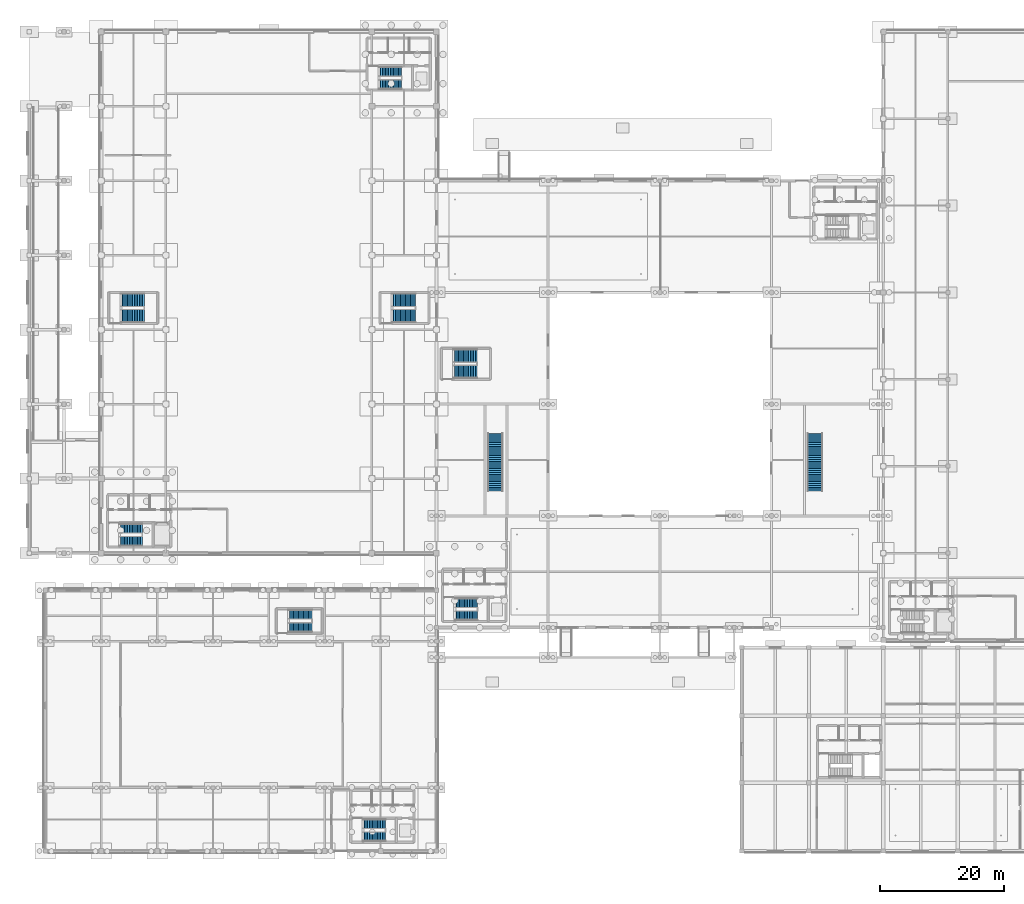
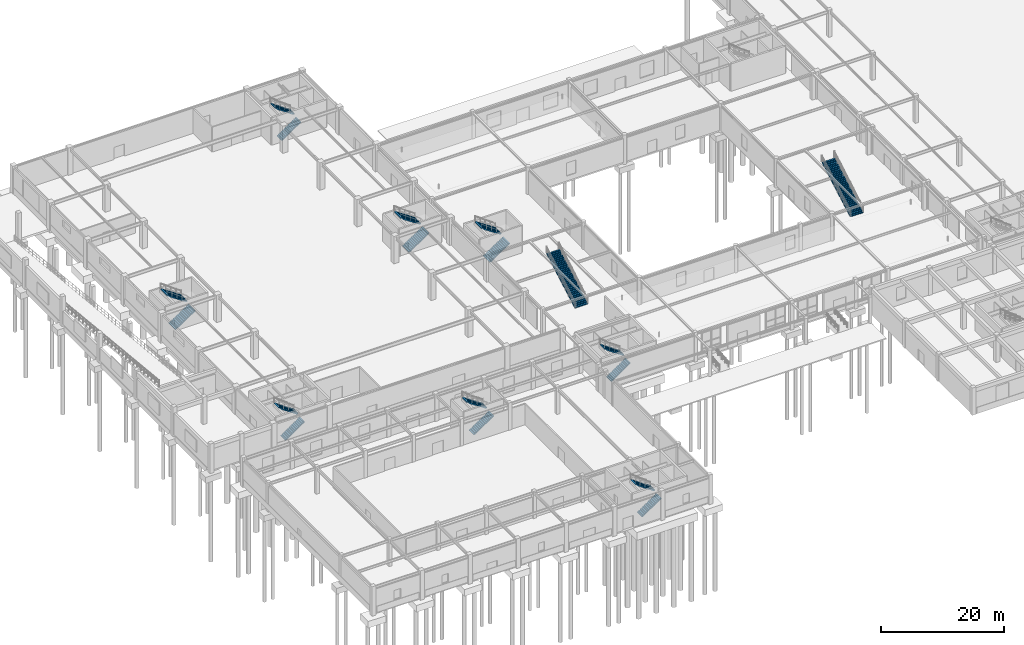
# One storey, part 39 of 53: 18 stair flights, 10 elements without a shape of their own.
"""IFC4 building model written with IfcOpenShell, lengths in metres."""

import ifcopenshell
import ifcopenshell.guid

model = None  # the IFC model being written
_history = None  # IfcOwnerHistory: only IFC2X3 demands one
_inside = {}  # id of a spatial element -> (the spatial element, [elements in it])
_under = {}  # id of a project, library or spatial element -> (it, [spatial elements below it])
_declared = {}  # id of a project -> (the project, [libraries it declares])
_typed = {}  # id of a type object -> (the type object, [elements of that type])
_made_of = {}  # id of a material, layer set ... -> (it, [elements and type objects made of it])


def new_model(schema):
    """Start an empty IFC model of exactly this schema.

    Asked for "IFC4X3", IfcOpenShell would pick the latest addendum, in which some entities
    have other attributes; the version numbers below select the first issue.
    IFC2X3 requires an IfcOwnerHistory on every rooted entity: one is made here for all.
    """
    global model, _history
    if schema == "IFC4X3":
        model = ifcopenshell.file(schema_version=(4, 3, 0, 0))
    else:
        model = ifcopenshell.file(schema=schema)
    _inside.clear()
    _under.clear()
    _declared.clear()
    _typed.clear()
    _made_of.clear()
    _history = None
    if model.schema == "IFC2X3":
        org = make("IfcOrganization", Name="unknown")
        user = make(
            "IfcPersonAndOrganization",
            ThePerson=make("IfcPerson", FamilyName="unknown"),
            TheOrganization=org,
        )
        app = make(
            "IfcApplication",
            ApplicationDeveloper=org,
            Version="unknown",
            ApplicationFullName="unknown",
            ApplicationIdentifier="unknown",
        )
        _history = make(
            "IfcOwnerHistory",
            OwningUser=user,
            OwningApplication=app,
            ChangeAction="ADDED",
            CreationDate=0,
        )
    return model


def make(cls, **values):
    """One entity of the class cls with the attributes given. An attribute that is None is left unset."""
    return model.create_entity(
        cls, **{name: value for name, value in values.items() if value is not None}
    )


def rooted(cls, **values):
    """An entity with a GlobalId (a new one), such as an element, a storey or a relation."""
    return make(cls, GlobalId=ifcopenshell.guid.new(), OwnerHistory=_history, **values)


def si_unit(unit_type, name, prefix=None):
    """IfcSIUnit, for example si_unit("LENGTHUNIT", "METRE", prefix="MILLI")."""
    return make("IfcSIUnit", UnitType=unit_type, Prefix=prefix, Name=name)


def derived_unit(unit_type, elements):
    """IfcDerivedUnit: a product of units, each with its exponent."""
    return make(
        "IfcDerivedUnit",
        Elements=[
            make("IfcDerivedUnitElement", Unit=unit, Exponent=power)
            for unit, power in elements
        ],
        UnitType=unit_type,
    )


def assignment(units):
    """IfcUnitAssignment: the units of a project."""
    return None if units is None else make("IfcUnitAssignment", Units=units)


def point(xyz):
    """IfcCartesianPoint."""
    return None if xyz is None else make("IfcCartesianPoint", Coordinates=xyz)


def direction(xyz):
    """IfcDirection."""
    return None if xyz is None else make("IfcDirection", DirectionRatios=xyz)


def frame(location, z_axis=None, x_axis=None):
    """IfcAxis2Placement3D, a coordinate frame: its origin and axes. An axis left out is left unset."""
    return make(
        "IfcAxis2Placement3D",
        Location=point(location),
        Axis=direction(z_axis),
        RefDirection=direction(x_axis),
    )


def origin():
    """The frame at (0, 0, 0) with its axes left unset."""
    return frame((0.0, 0.0, 0.0))


def place(relative_to, where):
    """IfcLocalPlacement: puts the frame where relative to a parent placement (None: the world)."""
    return make(
        "IfcLocalPlacement", PlacementRelTo=relative_to, RelativePlacement=where
    )


def context(
    kind, dimensions, precision=None, world=None, true_north=None, identifier=None
):
    """IfcGeometricRepresentationContext, for example the 3D "Model" context."""
    return make(
        "IfcGeometricRepresentationContext",
        ContextIdentifier=identifier,
        ContextType=kind,
        CoordinateSpaceDimension=dimensions,
        Precision=precision,
        WorldCoordinateSystem=world,
        TrueNorth=true_north,
    )


def subcontext(parent, identifier, kind, view, scale=None):
    """IfcGeometricRepresentationSubContext, for example "Body" below "Model"."""
    return make(
        "IfcGeometricRepresentationSubContext",
        ContextIdentifier=identifier,
        ContextType=kind,
        ParentContext=parent,
        TargetScale=scale,
        TargetView=view,
    )


def project(units=None, contexts=None):
    """IfcProject with its units and contexts."""
    return rooted(
        "IfcProject",
        Name="project",
        RepresentationContexts=contexts,
        UnitsInContext=assignment(units),
    )


def spatial(cls, under=None, at=None, **own):
    """A site, building, storey or space (cls), placed at a placement, below another one or the project."""
    s = rooted(cls, ObjectPlacement=at, **own)
    if under is not None:
        _under.setdefault(under.id(), (under, []))[1].append(s)
    return s


def polyline(points):
    """IfcPolyline through the points."""
    return make("IfcPolyline", Points=[point(p) for p in points])


def outline(outer, holes=None, kind="AREA"):
    """IfcArbitraryClosedProfileDef: a profile drawn as a closed curve; with holes, ...WithVoids."""
    if holes is None:
        return make("IfcArbitraryClosedProfileDef", ProfileType=kind, OuterCurve=outer)
    return make(
        "IfcArbitraryProfileDefWithVoids",
        ProfileType=kind,
        OuterCurve=outer,
        InnerCurves=holes,
    )


def extrude(swept, where, along, depth):
    """IfcExtrudedAreaSolid: the profile swept, set in the frame where, extruded along a direction by depth."""
    return make(
        "IfcExtrudedAreaSolid",
        SweptArea=swept,
        Position=where,
        ExtrudedDirection=direction(along),
        Depth=depth,
    )


def shape(context_of_items, identifier, shape_type, items):
    """IfcShapeRepresentation: the items that make up one representation, for example the "Body"."""
    return make(
        "IfcShapeRepresentation",
        ContextOfItems=context_of_items,
        RepresentationIdentifier=identifier,
        RepresentationType=shape_type,
        Items=items,
    )


def material(Name=None, Category=None):
    """IfcMaterial."""
    return make("IfcMaterial", Name=Name, Category=Category)


def made_of(thing, what):
    """Note that an element or type object is made of a material, layer set ...; save() writes the relation."""
    if what is not None:
        _made_of.setdefault(what.id(), (what, []))[1].append(thing)
    return thing


def type_object(cls, material=None, **own):
    """A type object (cls), such as IfcWallType, which elements share."""
    return made_of(rooted(cls, **own), material)


def element(
    cls,
    number,
    at=None,
    inside=None,
    cuts=None,
    type_object=None,
    material=None,
    context=None,
    identifier="Body",
    shape_type=None,
    held_by="IfcProductDefinitionShape",
    body=None,
    shapes=None,
    **own,
):
    """One element of the class cls, such as IfcWall. Its Tag is "e" and its number.

    at: its placement. inside: the storey or other place that contains it. cuts: it is an
    opening in that element (IfcRelVoidsElement). A single representation is given by context,
    identifier, shape_type and body (its items); several are given by shapes. held_by: the class
    of the entity that holds the representations. save() writes the other relations.
    """
    e = rooted(cls, Tag="e%d" % number, ObjectPlacement=at, **own)
    if body is not None:
        shapes = [shape(context, identifier, shape_type, body)]
    if shapes is not None:
        e.Representation = make(held_by, Representations=shapes)
    if inside is not None:
        _inside.setdefault(inside.id(), (inside, []))[1].append(e)
    if cuts is not None:
        rooted(
            "IfcRelVoidsElement", RelatingBuildingElement=cuts, RelatedOpeningElement=e
        )
    if type_object is not None:
        _typed.setdefault(type_object.id(), (type_object, []))[1].append(e)
    return made_of(e, material)


def aggregate(whole, parts):
    """IfcRelAggregates: a whole, such as a stair, and the parts it consists of."""
    return rooted("IfcRelAggregates", RelatingObject=whole, RelatedObjects=parts)


def save(model, path):
    """Write the relations noted so far, then the file.

    IfcRelAggregates (storeys below a building ...), IfcRelContainedInSpatialStructure (elements
    in a storey), IfcRelDefinesByType, IfcRelAssociatesMaterial and IfcRelDeclares: one each for
    every whole, place, type object, material and project.
    """
    for whole, parts in _under.values():
        aggregate(whole, parts)
    for where, things in _inside.values():
        rooted(
            "IfcRelContainedInSpatialStructure",
            RelatedElements=things,
            RelatingStructure=where,
        )
    for kind, things in _typed.values():
        rooted("IfcRelDefinesByType", RelatedObjects=things, RelatingType=kind)
    for what, things in _made_of.values():
        rooted("IfcRelAssociatesMaterial", RelatedObjects=things, RelatingMaterial=what)
    for by, libraries in _declared.values():
        rooted("IfcRelDeclares", RelatingContext=by, RelatedDefinitions=libraries)
    model.write(path)


model = new_model("IFC4")

# Units and contexts
model_context = context("Model", 3, precision=1e-05, world=origin(), true_north=direction((0.0, 1.0)))
body_context = subcontext(model_context, "Body", "Model", "MODEL_VIEW")
ifc_project = project(units=[si_unit("LENGTHUNIT", "METRE"), si_unit("AREAUNIT", "SQUARE_METRE"), si_unit("VOLUMEUNIT", "CUBIC_METRE"), si_unit("PLANEANGLEUNIT", "RADIAN"), si_unit("MASSUNIT", "GRAM", prefix="KILO"), derived_unit("THERMALTRANSMITTANCEUNIT", [(si_unit("POWERUNIT", "WATT"), 1), (si_unit("LENGTHUNIT", "METRE"), -2), (si_unit("THERMODYNAMICTEMPERATUREUNIT", "KELVIN"), -1)])], contexts=[model_context])

# Site, building, storey
site_placement = place(None, origin())
site = spatial("IfcSite", under=ifc_project, at=site_placement, CompositionType="ELEMENT")
building_placement = place(site_placement, origin())
building = spatial("IfcBuilding", under=site, at=building_placement, Name="Almenara Railside Exhibition Hall", CompositionType="ELEMENT")
storey_placement = place(building_placement, origin())
storey = spatial("IfcBuildingStorey", under=building, at=storey_placement, Name="L00", CompositionType="ELEMENT", Elevation=0.0)

# Stair, stair flight
ifc_material = material(Name="Concrete C35/45", Category="concrete")
stair_type_1 = type_object("IfcStairType", Name="Concourse Monumental Straight Stair 2400mm", PredefinedType="STRAIGHT_RUN_STAIR", material=ifc_material)
stair_1_placement = place(storey_placement, origin())
stair_1 = element("IfcStair", 1, at=stair_1_placement, inside=storey, type_object=stair_type_1, Name="Monumental concourse stair MS-1", PredefinedType="STRAIGHT_RUN_STAIR")
stair_flight_type_1 = type_object("IfcStairFlightType", Name="Monumental Terrazzo Stair Flight 2400mm C35/45", PredefinedType="STRAIGHT", material=ifc_material)
stair_flight_1_placement = place(storey_placement, frame((75.5, 58.0, 0.0), z_axis=(0.0, 0.0, 1.0), x_axis=(0.0, 1.0, 0.0)))
stair_flight_1 = element("IfcStairFlight", 2, at=stair_flight_1_placement, type_object=stair_flight_type_1, Name="MS-1 flight 1", NumberOfRisers=32, NumberOfTreads=31, PredefinedType="STRAIGHT", RiserHeight=0.16875, TreadLength=0.3, context=body_context, shape_type="SweptSolid", body=[
    extrude(outline(polyline([(0.0, 0.0), (0.0, 0.168701171875), (0.300048828125, 0.168701171875), (0.300048828125, 0.33740234375), (0.60009765625, 0.33740234375), (0.60009765625, 0.50634765625), (0.89990234375, 0.50634765625), (0.89990234375, 0.675048828125), (1.199951171875, 0.675048828125), (1.199951171875, 0.84375), (1.5, 0.84375), (1.5, 1.012451171875), (1.800048828125, 1.012451171875), (1.800048828125, 1.18115234375), (2.10009765625, 1.18115234375), (2.10009765625, 1.35009765625), (2.39990234375, 1.35009765625), (2.39990234375, 1.518798828125), (2.699951171875, 1.518798828125), (2.699951171875, 1.6875), (3.0, 1.6875), (3.0, 1.856201171875), (3.300048828125, 1.856201171875), (3.300048828125, 2.02490234375), (3.60009765625, 2.02490234375), (3.60009765625, 2.19384765625), (3.89990234375, 2.19384765625), (3.89990234375, 2.362548828125), (4.199951171875, 2.362548828125), (4.199951171875, 2.53125), (4.5, 2.53125), (4.5, 2.699951171875), (4.800048828125, 2.699951171875), (4.800048828125, 2.86865234375), (5.10009765625, 2.86865234375), (5.10009765625, 3.03759765625), (5.39990234375, 3.03759765625), (5.39990234375, 3.206298828125), (5.699951171875, 3.206298828125), (5.699951171875, 3.375), (6.0, 3.375), (6.0, 3.543701171875), (6.300048828125, 3.543701171875), (6.300048828125, 3.71240234375), (6.60009765625, 3.71240234375), (6.60009765625, 3.88134765625), (6.89990234375, 3.88134765625), (6.89990234375, 4.050048828125), (7.199951171875, 4.050048828125), (7.199951171875, 4.21875), (7.5, 4.21875), (7.5, 4.387451171875), (7.800048828125, 4.387451171875), (7.800048828125, 4.55615234375), (8.10009765625, 4.55615234375), (8.10009765625, 4.72509765625), (8.39990234375, 4.72509765625), (8.39990234375, 4.893798828125), (8.699951171875, 4.893798828125), (8.699951171875, 5.0625), (9.0, 5.0625), (9.0, 5.231201171875), (9.300048828125, 5.231201171875), (9.300048828125, 5.39990234375), (9.300048828125, 5.059326171875), (0.3056640625, 0.0), (0.0, 0.0)])), frame((0.0, 1.199951171875, 0.0), z_axis=(0.0, -1.0, 0.0), x_axis=(1.0, 0.0, 0.0)), (0.0, 0.0, 1.0), 2.39990234375),
])
aggregate(stair_1, [stair_flight_1])

stair_2_placement = place(storey_placement, origin())
stair_2 = element("IfcStair", 3, at=stair_2_placement, inside=storey, type_object=stair_type_1, Name="Monumental concourse stair MS-2", PredefinedType="STRAIGHT_RUN_STAIR")
stair_flight_2_placement = place(storey_placement, frame((127.0, 58.0, 0.0), z_axis=(0.0, 0.0, 1.0), x_axis=(0.0, 1.0, 0.0)))
stair_flight_2 = element("IfcStairFlight", 4, at=stair_flight_2_placement, type_object=stair_flight_type_1, Name="MS-2 flight 1", NumberOfRisers=32, NumberOfTreads=31, PredefinedType="STRAIGHT", RiserHeight=0.16875, TreadLength=0.3, context=body_context, shape_type="SweptSolid", body=[
    extrude(outline(polyline([(0.0, 0.0), (0.0, 0.168701171875), (0.300048828125, 0.168701171875), (0.300048828125, 0.33740234375), (0.60009765625, 0.33740234375), (0.60009765625, 0.50634765625), (0.89990234375, 0.50634765625), (0.89990234375, 0.675048828125), (1.199951171875, 0.675048828125), (1.199951171875, 0.84375), (1.5, 0.84375), (1.5, 1.012451171875), (1.800048828125, 1.012451171875), (1.800048828125, 1.18115234375), (2.10009765625, 1.18115234375), (2.10009765625, 1.35009765625), (2.39990234375, 1.35009765625), (2.39990234375, 1.518798828125), (2.699951171875, 1.518798828125), (2.699951171875, 1.6875), (3.0, 1.6875), (3.0, 1.856201171875), (3.300048828125, 1.856201171875), (3.300048828125, 2.02490234375), (3.60009765625, 2.02490234375), (3.60009765625, 2.19384765625), (3.89990234375, 2.19384765625), (3.89990234375, 2.362548828125), (4.199951171875, 2.362548828125), (4.199951171875, 2.53125), (4.5, 2.53125), (4.5, 2.699951171875), (4.800048828125, 2.699951171875), (4.800048828125, 2.86865234375), (5.10009765625, 2.86865234375), (5.10009765625, 3.03759765625), (5.39990234375, 3.03759765625), (5.39990234375, 3.206298828125), (5.699951171875, 3.206298828125), (5.699951171875, 3.375), (6.0, 3.375), (6.0, 3.543701171875), (6.300048828125, 3.543701171875), (6.300048828125, 3.71240234375), (6.60009765625, 3.71240234375), (6.60009765625, 3.88134765625), (6.89990234375, 3.88134765625), (6.89990234375, 4.050048828125), (7.199951171875, 4.050048828125), (7.199951171875, 4.21875), (7.5, 4.21875), (7.5, 4.387451171875), (7.800048828125, 4.387451171875), (7.800048828125, 4.55615234375), (8.10009765625, 4.55615234375), (8.10009765625, 4.72509765625), (8.39990234375, 4.72509765625), (8.39990234375, 4.893798828125), (8.699951171875, 4.893798828125), (8.699951171875, 5.0625), (9.0, 5.0625), (9.0, 5.231201171875), (9.300048828125, 5.231201171875), (9.300048828125, 5.39990234375), (9.300048828125, 5.059326171875), (0.3056640625, 0.0), (0.0, 0.0)])), frame((0.0, 1.199951171875, 0.0), z_axis=(0.0, -1.0, 0.0), x_axis=(1.0, 0.0, 0.0)), (0.0, 0.0, 1.0), 2.39990234375),
])
aggregate(stair_2, [stair_flight_2])

# Stair, stair flights
stair_type_2 = type_object("IfcStairType", Name="Core Dog-Leg Escape Stair 1520mm", PredefinedType="TWO_STRAIGHT_RUN_STAIR", material=ifc_material)
stair_3_placement = place(storey_placement, origin())
stair_3 = element("IfcStair", 5, at=stair_3_placement, inside=storey, type_object=stair_type_2, Name="Escape stair ST-C1-L00", PredefinedType="TWO_STRAIGHT_RUN_STAIR")
stair_flight_type_2 = type_object("IfcStairFlightType", Name="Precast Concrete Stair Flight 1520mm C35/45", PredefinedType="STRAIGHT", material=ifc_material)
stair_flight_3_placement = place(storey_placement, frame((14.949951171875, 49.89990234375, 0.0), z_axis=(0.0, 0.0, 1.0), x_axis=(1.0, 0.0, 0.0)))
stair_flight_3 = element("IfcStairFlight", 6, at=stair_flight_3_placement, type_object=stair_flight_type_2, Name="ST-C1-L00 flight 1", NumberOfRisers=15, NumberOfTreads=14, PredefinedType="STRAIGHT", RiserHeight=0.18, TreadLength=0.2607, context=body_context, shape_type="SweptSolid", body=[
    extrude(outline(polyline([(0.0, 0.0), (0.0, 0.179931640625), (0.2607421875, 0.179931640625), (0.2607421875, 0.360107421875), (0.521484375, 0.360107421875), (0.521484375, 0.5400390625), (0.781982421875, 0.5400390625), (0.781982421875, 0.719970703125), (1.042724609375, 0.719970703125), (1.042724609375, 0.89990234375), (1.303466796875, 0.89990234375), (1.303466796875, 1.080078125), (1.564208984375, 1.080078125), (1.564208984375, 1.260009765625), (1.824951171875, 1.260009765625), (1.824951171875, 1.43994140625), (2.085693359375, 1.43994140625), (2.085693359375, 1.6201171875), (2.34619140625, 1.6201171875), (2.34619140625, 1.800048828125), (2.60693359375, 1.800048828125), (2.60693359375, 1.97998046875), (2.86767578125, 1.97998046875), (2.86767578125, 2.159912109375), (3.12841796875, 2.159912109375), (3.12841796875, 2.340087890625), (3.38916015625, 2.340087890625), (3.38916015625, 2.52001953125), (3.64990234375, 2.52001953125), (3.64990234375, 2.699951171875), (3.64990234375, 2.337890625), (0.263916015625, 0.0), (0.0, 0.0)])), frame((0.0, 0.760009765625, 0.0), z_axis=(0.0, -1.0, 0.0), x_axis=(1.0, 0.0, 0.0)), (0.0, 0.0, 1.0), 1.52001953125),
])
stair_flight_4_placement = place(storey_placement, frame((18.599853515625, 52.0, 2.699951171875), z_axis=(0.0, 0.0, 1.0), x_axis=(-1.0, 0.0, 0.0)))
stair_flight_4 = element("IfcStairFlight", 7, at=stair_flight_4_placement, type_object=stair_flight_type_2, Name="ST-C1-L00 flight 2", NumberOfRisers=15, NumberOfTreads=14, PredefinedType="STRAIGHT", RiserHeight=0.18, TreadLength=0.2607, context=body_context, shape_type="SweptSolid", body=[
    extrude(outline(polyline([(0.0, 0.0), (0.0, 0.179931640625), (0.2607421875, 0.179931640625), (0.2607421875, 0.360107421875), (0.521484375, 0.360107421875), (0.521484375, 0.5400390625), (0.781982421875, 0.5400390625), (0.781982421875, 0.719970703125), (1.042724609375, 0.719970703125), (1.042724609375, 0.89990234375), (1.303466796875, 0.89990234375), (1.303466796875, 1.080078125), (1.564208984375, 1.080078125), (1.564208984375, 1.260009765625), (1.824951171875, 1.260009765625), (1.824951171875, 1.43994140625), (2.085693359375, 1.43994140625), (2.085693359375, 1.6201171875), (2.34619140625, 1.6201171875), (2.34619140625, 1.800048828125), (2.60693359375, 1.800048828125), (2.60693359375, 1.97998046875), (2.86767578125, 1.97998046875), (2.86767578125, 2.159912109375), (3.12841796875, 2.159912109375), (3.12841796875, 2.340087890625), (3.38916015625, 2.340087890625), (3.38916015625, 2.52001953125), (3.64990234375, 2.52001953125), (3.64990234375, 2.699951171875), (3.64990234375, 2.337890625), (0.263916015625, 0.0), (0.0, 0.0)])), frame((0.0, 0.760009765625, 0.0), z_axis=(0.0, -1.0, 0.0), x_axis=(1.0, 0.0, 0.0)), (0.0, 0.0, 1.0), 1.52001953125),
])
aggregate(stair_3, [stair_flight_3, stair_flight_4])

stair_4_placement = place(storey_placement, origin())
stair_4 = element("IfcStair", 8, at=stair_4_placement, inside=storey, type_object=stair_type_2, Name="Escape stair ST-C2-L00", PredefinedType="TWO_STRAIGHT_RUN_STAIR")
stair_flight_5_placement = place(storey_placement, frame((56.75, 123.5, 0.0), z_axis=(0.0, 0.0, 1.0), x_axis=(1.0, 0.0, 0.0)))
stair_flight_5 = element("IfcStairFlight", 9, at=stair_flight_5_placement, type_object=stair_flight_type_2, Name="ST-C2-L00 flight 1", NumberOfRisers=15, NumberOfTreads=14, PredefinedType="STRAIGHT", RiserHeight=0.18, TreadLength=0.2607, context=body_context, shape_type="SweptSolid", body=[
    extrude(outline(polyline([(0.0, 0.0), (0.0, 0.179931640625), (0.2607421875, 0.179931640625), (0.2607421875, 0.360107421875), (0.521484375, 0.360107421875), (0.521484375, 0.5400390625), (0.781982421875, 0.5400390625), (0.781982421875, 0.719970703125), (1.042724609375, 0.719970703125), (1.042724609375, 0.89990234375), (1.303466796875, 0.89990234375), (1.303466796875, 1.080078125), (1.564208984375, 1.080078125), (1.564208984375, 1.260009765625), (1.824951171875, 1.260009765625), (1.824951171875, 1.43994140625), (2.085693359375, 1.43994140625), (2.085693359375, 1.6201171875), (2.34619140625, 1.6201171875), (2.34619140625, 1.800048828125), (2.60693359375, 1.800048828125), (2.60693359375, 1.97998046875), (2.86767578125, 1.97998046875), (2.86767578125, 2.159912109375), (3.12841796875, 2.159912109375), (3.12841796875, 2.340087890625), (3.38916015625, 2.340087890625), (3.38916015625, 2.52001953125), (3.64990234375, 2.52001953125), (3.64990234375, 2.699951171875), (3.64990234375, 2.337890625), (0.263916015625, 0.0), (0.0, 0.0)])), frame((0.0, 0.760009765625, 0.0), z_axis=(0.0, -1.0, 0.0), x_axis=(1.0, 0.0, 0.0)), (0.0, 0.0, 1.0), 1.52001953125),
])
stair_flight_6_placement = place(storey_placement, frame((60.39990234375, 125.60009765625, 2.699951171875), z_axis=(0.0, 0.0, 1.0), x_axis=(-1.0, 0.0, 0.0)))
stair_flight_6 = element("IfcStairFlight", 10, at=stair_flight_6_placement, type_object=stair_flight_type_2, Name="ST-C2-L00 flight 2", NumberOfRisers=15, NumberOfTreads=14, PredefinedType="STRAIGHT", RiserHeight=0.18, TreadLength=0.2607, context=body_context, shape_type="SweptSolid", body=[
    extrude(outline(polyline([(0.0, 0.0), (0.0, 0.179931640625), (0.2607421875, 0.179931640625), (0.2607421875, 0.360107421875), (0.521484375, 0.360107421875), (0.521484375, 0.5400390625), (0.781982421875, 0.5400390625), (0.781982421875, 0.719970703125), (1.042724609375, 0.719970703125), (1.042724609375, 0.89990234375), (1.303466796875, 0.89990234375), (1.303466796875, 1.080078125), (1.564208984375, 1.080078125), (1.564208984375, 1.260009765625), (1.824951171875, 1.260009765625), (1.824951171875, 1.43994140625), (2.085693359375, 1.43994140625), (2.085693359375, 1.6201171875), (2.34619140625, 1.6201171875), (2.34619140625, 1.800048828125), (2.60693359375, 1.800048828125), (2.60693359375, 1.97998046875), (2.86767578125, 1.97998046875), (2.86767578125, 2.159912109375), (3.12841796875, 2.159912109375), (3.12841796875, 2.340087890625), (3.38916015625, 2.340087890625), (3.38916015625, 2.52001953125), (3.64990234375, 2.52001953125), (3.64990234375, 2.699951171875), (3.64990234375, 2.337890625), (0.263916015625, 0.0), (0.0, 0.0)])), frame((0.0, 0.760009765625, 0.0), z_axis=(0.0, -1.0, 0.0), x_axis=(1.0, 0.0, 0.0)), (0.0, 0.0, 1.0), 1.52001953125),
])
aggregate(stair_4, [stair_flight_5, stair_flight_6])

stair_5_placement = place(storey_placement, origin())
stair_5 = element("IfcStair", 11, at=stair_5_placement, inside=storey, type_object=stair_type_2, Name="Escape stair ST-C4-L00", PredefinedType="TWO_STRAIGHT_RUN_STAIR")
stair_flight_7_placement = place(storey_placement, frame((68.949951171875, 37.89990234375, 0.0), z_axis=(0.0, 0.0, 1.0), x_axis=(1.0, 0.0, 0.0)))
stair_flight_7 = element("IfcStairFlight", 12, at=stair_flight_7_placement, type_object=stair_flight_type_2, Name="ST-C4-L00 flight 1", NumberOfRisers=15, NumberOfTreads=14, PredefinedType="STRAIGHT", RiserHeight=0.18, TreadLength=0.2607, context=body_context, shape_type="SweptSolid", body=[
    extrude(outline(polyline([(0.0, 0.0), (0.0, 0.179931640625), (0.2607421875, 0.179931640625), (0.2607421875, 0.360107421875), (0.521484375, 0.360107421875), (0.521484375, 0.5400390625), (0.781982421875, 0.5400390625), (0.781982421875, 0.719970703125), (1.042724609375, 0.719970703125), (1.042724609375, 0.89990234375), (1.303466796875, 0.89990234375), (1.303466796875, 1.080078125), (1.564208984375, 1.080078125), (1.564208984375, 1.260009765625), (1.824951171875, 1.260009765625), (1.824951171875, 1.43994140625), (2.085693359375, 1.43994140625), (2.085693359375, 1.6201171875), (2.34619140625, 1.6201171875), (2.34619140625, 1.800048828125), (2.60693359375, 1.800048828125), (2.60693359375, 1.97998046875), (2.86767578125, 1.97998046875), (2.86767578125, 2.159912109375), (3.12841796875, 2.159912109375), (3.12841796875, 2.340087890625), (3.38916015625, 2.340087890625), (3.38916015625, 2.52001953125), (3.64990234375, 2.52001953125), (3.64990234375, 2.699951171875), (3.64990234375, 2.337890625), (0.263916015625, 0.0), (0.0, 0.0)])), frame((0.0, 0.760009765625, 0.0), z_axis=(0.0, -1.0, 0.0), x_axis=(1.0, 0.0, 0.0)), (0.0, 0.0, 1.0), 1.52001953125),
])
stair_flight_8_placement = place(storey_placement, frame((72.599853515625, 40.0, 2.699951171875), z_axis=(0.0, 0.0, 1.0), x_axis=(-1.0, 0.0, 0.0)))
stair_flight_8 = element("IfcStairFlight", 13, at=stair_flight_8_placement, type_object=stair_flight_type_2, Name="ST-C4-L00 flight 2", NumberOfRisers=15, NumberOfTreads=14, PredefinedType="STRAIGHT", RiserHeight=0.18, TreadLength=0.2607, context=body_context, shape_type="SweptSolid", body=[
    extrude(outline(polyline([(0.0, 0.0), (0.0, 0.179931640625), (0.2607421875, 0.179931640625), (0.2607421875, 0.360107421875), (0.521484375, 0.360107421875), (0.521484375, 0.5400390625), (0.781982421875, 0.5400390625), (0.781982421875, 0.719970703125), (1.042724609375, 0.719970703125), (1.042724609375, 0.89990234375), (1.303466796875, 0.89990234375), (1.303466796875, 1.080078125), (1.564208984375, 1.080078125), (1.564208984375, 1.260009765625), (1.824951171875, 1.260009765625), (1.824951171875, 1.43994140625), (2.085693359375, 1.43994140625), (2.085693359375, 1.6201171875), (2.34619140625, 1.6201171875), (2.34619140625, 1.800048828125), (2.60693359375, 1.800048828125), (2.60693359375, 1.97998046875), (2.86767578125, 1.97998046875), (2.86767578125, 2.159912109375), (3.12841796875, 2.159912109375), (3.12841796875, 2.340087890625), (3.38916015625, 2.340087890625), (3.38916015625, 2.52001953125), (3.64990234375, 2.52001953125), (3.64990234375, 2.699951171875), (3.64990234375, 2.337890625), (0.263916015625, 0.0), (0.0, 0.0)])), frame((0.0, 0.760009765625, 0.0), z_axis=(0.0, -1.0, 0.0), x_axis=(1.0, 0.0, 0.0)), (0.0, 0.0, 1.0), 1.52001953125),
])
aggregate(stair_5, [stair_flight_7, stair_flight_8])

stair_6_placement = place(storey_placement, origin())
stair_6 = element("IfcStair", 14, at=stair_6_placement, inside=storey, type_object=stair_type_2, Name="Escape stair ST-C7-L00", PredefinedType="TWO_STRAIGHT_RUN_STAIR")
stair_flight_9_placement = place(storey_placement, frame((54.14990234375, 2.300048828125, 0.0), z_axis=(0.0, 0.0, 1.0), x_axis=(1.0, 0.0, 0.0)))
stair_flight_9 = element("IfcStairFlight", 15, at=stair_flight_9_placement, type_object=stair_flight_type_2, Name="ST-C7-L00 flight 1", NumberOfRisers=15, NumberOfTreads=14, PredefinedType="STRAIGHT", RiserHeight=0.18, TreadLength=0.2607, context=body_context, shape_type="SweptSolid", body=[
    extrude(outline(polyline([(0.0, 0.0), (0.0, 0.179931640625), (0.2607421875, 0.179931640625), (0.2607421875, 0.360107421875), (0.521484375, 0.360107421875), (0.521484375, 0.5400390625), (0.781982421875, 0.5400390625), (0.781982421875, 0.719970703125), (1.042724609375, 0.719970703125), (1.042724609375, 0.89990234375), (1.303466796875, 0.89990234375), (1.303466796875, 1.080078125), (1.564208984375, 1.080078125), (1.564208984375, 1.260009765625), (1.824951171875, 1.260009765625), (1.824951171875, 1.43994140625), (2.085693359375, 1.43994140625), (2.085693359375, 1.6201171875), (2.34619140625, 1.6201171875), (2.34619140625, 1.800048828125), (2.60693359375, 1.800048828125), (2.60693359375, 1.97998046875), (2.86767578125, 1.97998046875), (2.86767578125, 2.159912109375), (3.12841796875, 2.159912109375), (3.12841796875, 2.340087890625), (3.38916015625, 2.340087890625), (3.38916015625, 2.52001953125), (3.64990234375, 2.52001953125), (3.64990234375, 2.699951171875), (3.64990234375, 2.337890625), (0.263916015625, 0.0), (0.0, 0.0)])), frame((0.0, 0.760009765625, 0.0), z_axis=(0.0, -1.0, 0.0), x_axis=(1.0, 0.0, 0.0)), (0.0, 0.0, 1.0), 1.52001953125),
])
stair_flight_10_placement = place(storey_placement, frame((57.7998046875, 4.39990234375, 2.699951171875), z_axis=(0.0, 0.0, 1.0), x_axis=(-1.0, 0.0, 0.0)))
stair_flight_10 = element("IfcStairFlight", 16, at=stair_flight_10_placement, type_object=stair_flight_type_2, Name="ST-C7-L00 flight 2", NumberOfRisers=15, NumberOfTreads=14, PredefinedType="STRAIGHT", RiserHeight=0.18, TreadLength=0.2607, context=body_context, shape_type="SweptSolid", body=[
    extrude(outline(polyline([(0.0, 0.0), (0.0, 0.179931640625), (0.2607421875, 0.179931640625), (0.2607421875, 0.360107421875), (0.521484375, 0.360107421875), (0.521484375, 0.5400390625), (0.781982421875, 0.5400390625), (0.781982421875, 0.719970703125), (1.042724609375, 0.719970703125), (1.042724609375, 0.89990234375), (1.303466796875, 0.89990234375), (1.303466796875, 1.080078125), (1.564208984375, 1.080078125), (1.564208984375, 1.260009765625), (1.824951171875, 1.260009765625), (1.824951171875, 1.43994140625), (2.085693359375, 1.43994140625), (2.085693359375, 1.6201171875), (2.34619140625, 1.6201171875), (2.34619140625, 1.800048828125), (2.60693359375, 1.800048828125), (2.60693359375, 1.97998046875), (2.86767578125, 1.97998046875), (2.86767578125, 2.159912109375), (3.12841796875, 2.159912109375), (3.12841796875, 2.340087890625), (3.38916015625, 2.340087890625), (3.38916015625, 2.52001953125), (3.64990234375, 2.52001953125), (3.64990234375, 2.699951171875), (3.64990234375, 2.337890625), (0.263916015625, 0.0), (0.0, 0.0)])), frame((0.0, 0.760009765625, 0.0), z_axis=(0.0, -1.0, 0.0), x_axis=(1.0, 0.0, 0.0)), (0.0, 0.0, 1.0), 1.52001953125),
])
aggregate(stair_6, [stair_flight_9, stair_flight_10])

stair_7_placement = place(storey_placement, origin())
stair_7 = element("IfcStair", 17, at=stair_7_placement, inside=storey, type_object=stair_type_2, Name="Escape stair HST5-L00", PredefinedType="TWO_STRAIGHT_RUN_STAIR")
stair_flight_11_placement = place(storey_placement, frame((42.14990234375, 36.0, 0.0), z_axis=(0.0, 0.0, 1.0), x_axis=(1.0, 0.0, 0.0)))
stair_flight_11 = element("IfcStairFlight", 18, at=stair_flight_11_placement, type_object=stair_flight_type_2, Name="HST5-L00 flight 1", NumberOfRisers=15, NumberOfTreads=14, PredefinedType="STRAIGHT", RiserHeight=0.18, TreadLength=0.27, context=body_context, shape_type="SweptSolid", body=[
    extrude(outline(polyline([(0.0, 0.0), (0.0, 0.179931640625), (0.27001953125, 0.179931640625), (0.27001953125, 0.360107421875), (0.5400390625, 0.360107421875), (0.5400390625, 0.5400390625), (0.81005859375, 0.5400390625), (0.81005859375, 0.719970703125), (1.080078125, 0.719970703125), (1.080078125, 0.89990234375), (1.35009765625, 0.89990234375), (1.35009765625, 1.080078125), (1.6201171875, 1.080078125), (1.6201171875, 1.260009765625), (1.889892578125, 1.260009765625), (1.889892578125, 1.43994140625), (2.159912109375, 1.43994140625), (2.159912109375, 1.6201171875), (2.429931640625, 1.6201171875), (2.429931640625, 1.800048828125), (2.699951171875, 1.800048828125), (2.699951171875, 1.97998046875), (2.969970703125, 1.97998046875), (2.969970703125, 2.159912109375), (3.239990234375, 2.159912109375), (3.239990234375, 2.340087890625), (3.510009765625, 2.340087890625), (3.510009765625, 2.52001953125), (3.780029296875, 2.52001953125), (3.780029296875, 2.699951171875), (3.780029296875, 2.33984375), (0.270263671875, 0.0), (0.0, 0.0)])), frame((0.0, 0.760009765625, 0.0), z_axis=(0.0, -1.0, 0.0), x_axis=(1.0, 0.0, 0.0)), (0.0, 0.0, 1.0), 1.52001953125),
])
stair_flight_12_placement = place(storey_placement, frame((45.929931640625, 38.14990234375, 2.699951171875), z_axis=(0.0, 0.0, 1.0), x_axis=(-1.0, 0.0, 0.0)))
stair_flight_12 = element("IfcStairFlight", 19, at=stair_flight_12_placement, type_object=stair_flight_type_2, Name="HST5-L00 flight 2", NumberOfRisers=15, NumberOfTreads=14, PredefinedType="STRAIGHT", RiserHeight=0.18, TreadLength=0.27, context=body_context, shape_type="SweptSolid", body=[
    extrude(outline(polyline([(0.0, 0.0), (0.0, 0.179931640625), (0.27001953125, 0.179931640625), (0.27001953125, 0.360107421875), (0.5400390625, 0.360107421875), (0.5400390625, 0.5400390625), (0.81005859375, 0.5400390625), (0.81005859375, 0.719970703125), (1.080078125, 0.719970703125), (1.080078125, 0.89990234375), (1.35009765625, 0.89990234375), (1.35009765625, 1.080078125), (1.6201171875, 1.080078125), (1.6201171875, 1.260009765625), (1.889892578125, 1.260009765625), (1.889892578125, 1.43994140625), (2.159912109375, 1.43994140625), (2.159912109375, 1.6201171875), (2.429931640625, 1.6201171875), (2.429931640625, 1.800048828125), (2.699951171875, 1.800048828125), (2.699951171875, 1.97998046875), (2.969970703125, 1.97998046875), (2.969970703125, 2.159912109375), (3.239990234375, 2.159912109375), (3.239990234375, 2.340087890625), (3.510009765625, 2.340087890625), (3.510009765625, 2.52001953125), (3.780029296875, 2.52001953125), (3.780029296875, 2.699951171875), (3.780029296875, 2.33984375), (0.270263671875, 0.0), (0.0, 0.0)])), frame((0.0, 0.760009765625, 0.0), z_axis=(0.0, -1.0, 0.0), x_axis=(1.0, 0.0, 0.0)), (0.0, 0.0, 1.0), 1.52001953125),
])
aggregate(stair_7, [stair_flight_11, stair_flight_12])

stair_type_3 = type_object("IfcStairType", Name="Hall Escape Dog-Leg Stair 2100mm", PredefinedType="TWO_STRAIGHT_RUN_STAIR", material=ifc_material)
stair_8_placement = place(storey_placement, origin())
stair_8 = element("IfcStair", 20, at=stair_8_placement, inside=storey, type_object=stair_type_3, Name="Escape stair HST1-L00", PredefinedType="TWO_STRAIGHT_RUN_STAIR")
stair_flight_type_3 = type_object("IfcStairFlightType", Name="Precast Concrete Stair Flight 2100mm C35/45", PredefinedType="STRAIGHT", material=ifc_material)
stair_flight_13_placement = place(storey_placement, frame((15.14990234375, 86.18994140625, 0.0), z_axis=(0.0, 0.0, 1.0), x_axis=(1.0, 0.0, 0.0)))
stair_flight_13 = element("IfcStairFlight", 21, at=stair_flight_13_placement, type_object=stair_flight_type_3, Name="HST1-L00 flight 1", NumberOfRisers=15, NumberOfTreads=14, PredefinedType="STRAIGHT", RiserHeight=0.18, TreadLength=0.27, context=body_context, shape_type="SweptSolid", body=[
    extrude(outline(polyline([(0.0, 0.0), (0.0, 0.179931640625), (0.27001953125, 0.179931640625), (0.27001953125, 0.360107421875), (0.5400390625, 0.360107421875), (0.5400390625, 0.5400390625), (0.81005859375, 0.5400390625), (0.81005859375, 0.719970703125), (1.080078125, 0.719970703125), (1.080078125, 0.89990234375), (1.35009765625, 0.89990234375), (1.35009765625, 1.080078125), (1.6201171875, 1.080078125), (1.6201171875, 1.260009765625), (1.889892578125, 1.260009765625), (1.889892578125, 1.43994140625), (2.159912109375, 1.43994140625), (2.159912109375, 1.6201171875), (2.429931640625, 1.6201171875), (2.429931640625, 1.800048828125), (2.699951171875, 1.800048828125), (2.699951171875, 1.97998046875), (2.969970703125, 1.97998046875), (2.969970703125, 2.159912109375), (3.239990234375, 2.159912109375), (3.239990234375, 2.340087890625), (3.510009765625, 2.340087890625), (3.510009765625, 2.52001953125), (3.780029296875, 2.52001953125), (3.780029296875, 2.699951171875), (3.780029296875, 2.33984375), (0.270263671875, 0.0), (0.0, 0.0)])), frame((0.0, 1.050048828125, 0.0), z_axis=(0.0, -1.0, 0.0), x_axis=(1.0, 0.0, 0.0)), (0.0, 0.0, 1.0), 2.10009765625),
])
stair_flight_14_placement = place(storey_placement, frame((18.929931640625, 88.81005859375, 2.699951171875), z_axis=(0.0, 0.0, 1.0), x_axis=(-1.0, 0.0, 0.0)))
stair_flight_14 = element("IfcStairFlight", 22, at=stair_flight_14_placement, type_object=stair_flight_type_3, Name="HST1-L00 flight 2", NumberOfRisers=15, NumberOfTreads=14, PredefinedType="STRAIGHT", RiserHeight=0.18, TreadLength=0.27, context=body_context, shape_type="SweptSolid", body=[
    extrude(outline(polyline([(0.0, 0.0), (0.0, 0.179931640625), (0.27001953125, 0.179931640625), (0.27001953125, 0.360107421875), (0.5400390625, 0.360107421875), (0.5400390625, 0.5400390625), (0.81005859375, 0.5400390625), (0.81005859375, 0.719970703125), (1.080078125, 0.719970703125), (1.080078125, 0.89990234375), (1.35009765625, 0.89990234375), (1.35009765625, 1.080078125), (1.6201171875, 1.080078125), (1.6201171875, 1.260009765625), (1.889892578125, 1.260009765625), (1.889892578125, 1.43994140625), (2.159912109375, 1.43994140625), (2.159912109375, 1.6201171875), (2.429931640625, 1.6201171875), (2.429931640625, 1.800048828125), (2.699951171875, 1.800048828125), (2.699951171875, 1.97998046875), (2.969970703125, 1.97998046875), (2.969970703125, 2.159912109375), (3.239990234375, 2.159912109375), (3.239990234375, 2.340087890625), (3.510009765625, 2.340087890625), (3.510009765625, 2.52001953125), (3.780029296875, 2.52001953125), (3.780029296875, 2.699951171875), (3.780029296875, 2.33984375), (0.270263671875, 0.0), (0.0, 0.0)])), frame((0.0, 1.050048828125, 0.0), z_axis=(0.0, -1.0, 0.0), x_axis=(1.0, 0.0, 0.0)), (0.0, 0.0, 1.0), 2.10009765625),
])
aggregate(stair_8, [stair_flight_13, stair_flight_14])

stair_9_placement = place(storey_placement, origin())
stair_9 = element("IfcStair", 23, at=stair_9_placement, inside=storey, type_object=stair_type_3, Name="Escape stair HST2-L00", PredefinedType="TWO_STRAIGHT_RUN_STAIR")
stair_flight_15_placement = place(storey_placement, frame((58.85009765625, 86.18994140625, 0.0), z_axis=(0.0, 0.0, 1.0), x_axis=(1.0, 0.0, 0.0)))
stair_flight_15 = element("IfcStairFlight", 24, at=stair_flight_15_placement, type_object=stair_flight_type_3, Name="HST2-L00 flight 1", NumberOfRisers=15, NumberOfTreads=14, PredefinedType="STRAIGHT", RiserHeight=0.18, TreadLength=0.27, context=body_context, shape_type="SweptSolid", body=[
    extrude(outline(polyline([(0.0, 0.0), (0.0, 0.179931640625), (0.27001953125, 0.179931640625), (0.27001953125, 0.360107421875), (0.5400390625, 0.360107421875), (0.5400390625, 0.5400390625), (0.81005859375, 0.5400390625), (0.81005859375, 0.719970703125), (1.080078125, 0.719970703125), (1.080078125, 0.89990234375), (1.35009765625, 0.89990234375), (1.35009765625, 1.080078125), (1.6201171875, 1.080078125), (1.6201171875, 1.260009765625), (1.889892578125, 1.260009765625), (1.889892578125, 1.43994140625), (2.159912109375, 1.43994140625), (2.159912109375, 1.6201171875), (2.429931640625, 1.6201171875), (2.429931640625, 1.800048828125), (2.699951171875, 1.800048828125), (2.699951171875, 1.97998046875), (2.969970703125, 1.97998046875), (2.969970703125, 2.159912109375), (3.239990234375, 2.159912109375), (3.239990234375, 2.340087890625), (3.510009765625, 2.340087890625), (3.510009765625, 2.52001953125), (3.780029296875, 2.52001953125), (3.780029296875, 2.699951171875), (3.780029296875, 2.33984375), (0.270263671875, 0.0), (0.0, 0.0)])), frame((0.0, 1.050048828125, 0.0), z_axis=(0.0, -1.0, 0.0), x_axis=(1.0, 0.0, 0.0)), (0.0, 0.0, 1.0), 2.10009765625),
])
stair_flight_16_placement = place(storey_placement, frame((62.6298828125, 88.81005859375, 2.699951171875), z_axis=(0.0, 0.0, 1.0), x_axis=(-1.0, 0.0, 0.0)))
stair_flight_16 = element("IfcStairFlight", 25, at=stair_flight_16_placement, type_object=stair_flight_type_3, Name="HST2-L00 flight 2", NumberOfRisers=15, NumberOfTreads=14, PredefinedType="STRAIGHT", RiserHeight=0.18, TreadLength=0.27, context=body_context, shape_type="SweptSolid", body=[
    extrude(outline(polyline([(0.0, 0.0), (0.0, 0.179931640625), (0.27001953125, 0.179931640625), (0.27001953125, 0.360107421875), (0.5400390625, 0.360107421875), (0.5400390625, 0.5400390625), (0.81005859375, 0.5400390625), (0.81005859375, 0.719970703125), (1.080078125, 0.719970703125), (1.080078125, 0.89990234375), (1.35009765625, 0.89990234375), (1.35009765625, 1.080078125), (1.6201171875, 1.080078125), (1.6201171875, 1.260009765625), (1.889892578125, 1.260009765625), (1.889892578125, 1.43994140625), (2.159912109375, 1.43994140625), (2.159912109375, 1.6201171875), (2.429931640625, 1.6201171875), (2.429931640625, 1.800048828125), (2.699951171875, 1.800048828125), (2.699951171875, 1.97998046875), (2.969970703125, 1.97998046875), (2.969970703125, 2.159912109375), (3.239990234375, 2.159912109375), (3.239990234375, 2.340087890625), (3.510009765625, 2.340087890625), (3.510009765625, 2.52001953125), (3.780029296875, 2.52001953125), (3.780029296875, 2.699951171875), (3.780029296875, 2.33984375), (0.270263671875, 0.0), (0.0, 0.0)])), frame((0.0, 1.050048828125, 0.0), z_axis=(0.0, -1.0, 0.0), x_axis=(1.0, 0.0, 0.0)), (0.0, 0.0, 1.0), 2.10009765625),
])
aggregate(stair_9, [stair_flight_15, stair_flight_16])

stair_10_placement = place(storey_placement, origin())
stair_10 = element("IfcStair", 26, at=stair_10_placement, inside=storey, type_object=stair_type_3, Name="Escape stair HST3-L00", PredefinedType="TWO_STRAIGHT_RUN_STAIR")
stair_flight_17_placement = place(storey_placement, frame((68.75, 77.18994140625, 0.0), z_axis=(0.0, 0.0, 1.0), x_axis=(1.0, 0.0, 0.0)))
stair_flight_17 = element("IfcStairFlight", 27, at=stair_flight_17_placement, type_object=stair_flight_type_3, Name="HST3-L00 flight 1", NumberOfRisers=15, NumberOfTreads=14, PredefinedType="STRAIGHT", RiserHeight=0.18, TreadLength=0.27, context=body_context, shape_type="SweptSolid", body=[
    extrude(outline(polyline([(0.0, 0.0), (0.0, 0.179931640625), (0.27001953125, 0.179931640625), (0.27001953125, 0.360107421875), (0.5400390625, 0.360107421875), (0.5400390625, 0.5400390625), (0.81005859375, 0.5400390625), (0.81005859375, 0.719970703125), (1.080078125, 0.719970703125), (1.080078125, 0.89990234375), (1.35009765625, 0.89990234375), (1.35009765625, 1.080078125), (1.6201171875, 1.080078125), (1.6201171875, 1.260009765625), (1.889892578125, 1.260009765625), (1.889892578125, 1.43994140625), (2.159912109375, 1.43994140625), (2.159912109375, 1.6201171875), (2.429931640625, 1.6201171875), (2.429931640625, 1.800048828125), (2.699951171875, 1.800048828125), (2.699951171875, 1.97998046875), (2.969970703125, 1.97998046875), (2.969970703125, 2.159912109375), (3.239990234375, 2.159912109375), (3.239990234375, 2.340087890625), (3.510009765625, 2.340087890625), (3.510009765625, 2.52001953125), (3.780029296875, 2.52001953125), (3.780029296875, 2.699951171875), (3.780029296875, 2.33984375), (0.270263671875, 0.0), (0.0, 0.0)])), frame((0.0, 1.050048828125, 0.0), z_axis=(0.0, -1.0, 0.0), x_axis=(1.0, 0.0, 0.0)), (0.0, 0.0, 1.0), 2.10009765625),
])
stair_flight_18_placement = place(storey_placement, frame((72.530029296875, 79.81005859375, 2.699951171875), z_axis=(0.0, 0.0, 1.0), x_axis=(-1.0, 0.0, 0.0)))
stair_flight_18 = element("IfcStairFlight", 28, at=stair_flight_18_placement, type_object=stair_flight_type_3, Name="HST3-L00 flight 2", NumberOfRisers=15, NumberOfTreads=14, PredefinedType="STRAIGHT", RiserHeight=0.18, TreadLength=0.27, context=body_context, shape_type="SweptSolid", body=[
    extrude(outline(polyline([(0.0, 0.0), (0.0, 0.179931640625), (0.27001953125, 0.179931640625), (0.27001953125, 0.360107421875), (0.5400390625, 0.360107421875), (0.5400390625, 0.5400390625), (0.81005859375, 0.5400390625), (0.81005859375, 0.719970703125), (1.080078125, 0.719970703125), (1.080078125, 0.89990234375), (1.35009765625, 0.89990234375), (1.35009765625, 1.080078125), (1.6201171875, 1.080078125), (1.6201171875, 1.260009765625), (1.889892578125, 1.260009765625), (1.889892578125, 1.43994140625), (2.159912109375, 1.43994140625), (2.159912109375, 1.6201171875), (2.429931640625, 1.6201171875), (2.429931640625, 1.800048828125), (2.699951171875, 1.800048828125), (2.699951171875, 1.97998046875), (2.969970703125, 1.97998046875), (2.969970703125, 2.159912109375), (3.239990234375, 2.159912109375), (3.239990234375, 2.340087890625), (3.510009765625, 2.340087890625), (3.510009765625, 2.52001953125), (3.780029296875, 2.52001953125), (3.780029296875, 2.699951171875), (3.780029296875, 2.33984375), (0.270263671875, 0.0), (0.0, 0.0)])), frame((0.0, 1.050048828125, 0.0), z_axis=(0.0, -1.0, 0.0), x_axis=(1.0, 0.0, 0.0)), (0.0, 0.0, 1.0), 2.10009765625),
])
aggregate(stair_10, [stair_flight_17, stair_flight_18])

save(model, "model.ifc")
